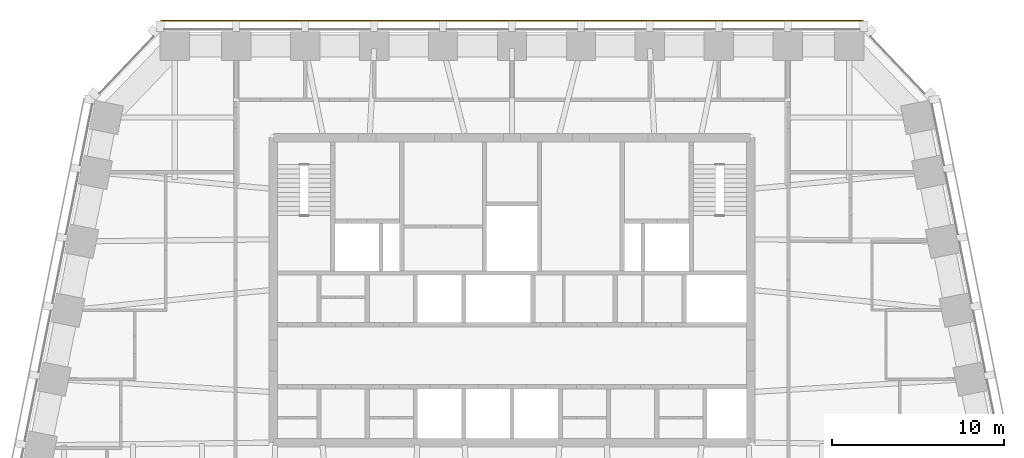
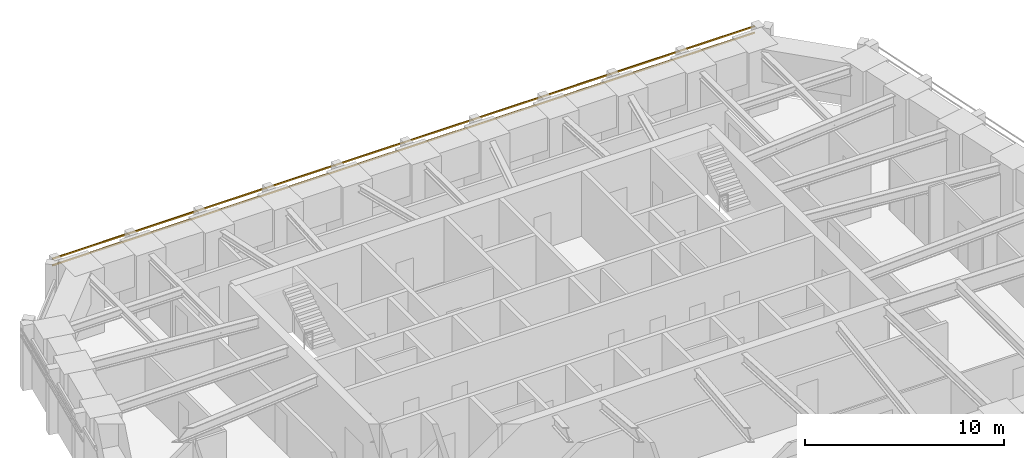
# One storey, part 11 of 11: 2 shading devices.
"""IFC4 building model written with IfcOpenShell, lengths in metres."""

import ifcopenshell
import ifcopenshell.guid

model = None  # the IFC model being written
_history = None  # IfcOwnerHistory: only IFC2X3 demands one
_inside = {}  # id of a spatial element -> (the spatial element, [elements in it])
_under = {}  # id of a project, library or spatial element -> (it, [spatial elements below it])
_declared = {}  # id of a project -> (the project, [libraries it declares])
_typed = {}  # id of a type object -> (the type object, [elements of that type])
_made_of = {}  # id of a material, layer set ... -> (it, [elements and type objects made of it])


def new_model(schema):
    """Start an empty IFC model of exactly this schema.

    Asked for "IFC4X3", IfcOpenShell would pick the latest addendum, in which some entities
    have other attributes; the version numbers below select the first issue.
    IFC2X3 requires an IfcOwnerHistory on every rooted entity: one is made here for all.
    """
    global model, _history
    if schema == "IFC4X3":
        model = ifcopenshell.file(schema_version=(4, 3, 0, 0))
    else:
        model = ifcopenshell.file(schema=schema)
    _inside.clear()
    _under.clear()
    _declared.clear()
    _typed.clear()
    _made_of.clear()
    _history = None
    if model.schema == "IFC2X3":
        org = make("IfcOrganization", Name="unknown")
        user = make(
            "IfcPersonAndOrganization",
            ThePerson=make("IfcPerson", FamilyName="unknown"),
            TheOrganization=org,
        )
        app = make(
            "IfcApplication",
            ApplicationDeveloper=org,
            Version="unknown",
            ApplicationFullName="unknown",
            ApplicationIdentifier="unknown",
        )
        _history = make(
            "IfcOwnerHistory",
            OwningUser=user,
            OwningApplication=app,
            ChangeAction="ADDED",
            CreationDate=0,
        )
    return model


def make(cls, **values):
    """One entity of the class cls with the attributes given. An attribute that is None is left unset."""
    return model.create_entity(
        cls, **{name: value for name, value in values.items() if value is not None}
    )


def rooted(cls, **values):
    """An entity with a GlobalId (a new one), such as an element, a storey or a relation."""
    return make(cls, GlobalId=ifcopenshell.guid.new(), OwnerHistory=_history, **values)


def si_unit(unit_type, name, prefix=None):
    """IfcSIUnit, for example si_unit("LENGTHUNIT", "METRE", prefix="MILLI")."""
    return make("IfcSIUnit", UnitType=unit_type, Prefix=prefix, Name=name)


def assignment(units):
    """IfcUnitAssignment: the units of a project."""
    return None if units is None else make("IfcUnitAssignment", Units=units)


def point(xyz):
    """IfcCartesianPoint."""
    return None if xyz is None else make("IfcCartesianPoint", Coordinates=xyz)


def direction(xyz):
    """IfcDirection."""
    return None if xyz is None else make("IfcDirection", DirectionRatios=xyz)


def frame(location, z_axis=None, x_axis=None):
    """IfcAxis2Placement3D, a coordinate frame: its origin and axes. An axis left out is left unset."""
    return make(
        "IfcAxis2Placement3D",
        Location=point(location),
        Axis=direction(z_axis),
        RefDirection=direction(x_axis),
    )


def frame_2d(location, x_axis=None):
    """IfcAxis2Placement2D, a coordinate frame in the plane: its origin and x axis."""
    return make(
        "IfcAxis2Placement2D", Location=point(location), RefDirection=direction(x_axis)
    )


def origin():
    """The frame at (0, 0, 0) with its axes left unset."""
    return frame((0.0, 0.0, 0.0))


def origin_2d():
    """The frame at (0, 0) in the plane with its x axis left unset."""
    return frame_2d((0.0, 0.0))


def place(relative_to, where):
    """IfcLocalPlacement: puts the frame where relative to a parent placement (None: the world)."""
    return make(
        "IfcLocalPlacement", PlacementRelTo=relative_to, RelativePlacement=where
    )


def context(
    kind, dimensions, precision=None, world=None, true_north=None, identifier=None
):
    """IfcGeometricRepresentationContext, for example the 3D "Model" context."""
    return make(
        "IfcGeometricRepresentationContext",
        ContextIdentifier=identifier,
        ContextType=kind,
        CoordinateSpaceDimension=dimensions,
        Precision=precision,
        WorldCoordinateSystem=world,
        TrueNorth=true_north,
    )


def subcontext(parent, identifier, kind, view, scale=None):
    """IfcGeometricRepresentationSubContext, for example "Body" below "Model"."""
    return make(
        "IfcGeometricRepresentationSubContext",
        ContextIdentifier=identifier,
        ContextType=kind,
        ParentContext=parent,
        TargetScale=scale,
        TargetView=view,
    )


def project(units=None, contexts=None):
    """IfcProject with its units and contexts."""
    return rooted(
        "IfcProject",
        Name="project",
        RepresentationContexts=contexts,
        UnitsInContext=assignment(units),
    )


def spatial(cls, under=None, at=None, **own):
    """A site, building, storey or space (cls), placed at a placement, below another one or the project."""
    s = rooted(cls, ObjectPlacement=at, **own)
    if under is not None:
        _under.setdefault(under.id(), (under, []))[1].append(s)
    return s


def profile(cls, at=None, kind="AREA", **sizes):
    """A parametric profile (cls). Its sizes go by their IFC names, for example OverallWidth=200.0."""
    return make(cls, ProfileType=kind, Position=at, **sizes)


def rectangle(**sizes):
    """IfcRectangleProfileDef."""
    return profile("IfcRectangleProfileDef", **sizes)


def extrude(swept, where, along, depth):
    """IfcExtrudedAreaSolid: the profile swept, set in the frame where, extruded along a direction by depth."""
    return make(
        "IfcExtrudedAreaSolid",
        SweptArea=swept,
        Position=where,
        ExtrudedDirection=direction(along),
        Depth=depth,
    )


def shape(context_of_items, identifier, shape_type, items):
    """IfcShapeRepresentation: the items that make up one representation, for example the "Body"."""
    return make(
        "IfcShapeRepresentation",
        ContextOfItems=context_of_items,
        RepresentationIdentifier=identifier,
        RepresentationType=shape_type,
        Items=items,
    )


def material(Name=None, Category=None):
    """IfcMaterial."""
    return make("IfcMaterial", Name=Name, Category=Category)


def material_profile(
    of_material, cross_section, Name=None, Category=None, Priority=None
):
    """IfcMaterialProfile: a cross section and its material."""
    return make(
        "IfcMaterialProfile",
        Name=Name,
        Material=of_material,
        Profile=cross_section,
        Priority=Priority,
        Category=Category,
    )


def profile_set(profiles, Name=None, composite=None):
    """IfcMaterialProfileSet."""
    return make(
        "IfcMaterialProfileSet",
        Name=Name,
        MaterialProfiles=profiles,
        CompositeProfile=composite,
    )


def made_of(thing, what):
    """Note that an element or type object is made of a material, layer set ...; save() writes the relation."""
    if what is not None:
        _made_of.setdefault(what.id(), (what, []))[1].append(thing)
    return thing


def type_object(cls, material=None, **own):
    """A type object (cls), such as IfcWallType, which elements share."""
    return made_of(rooted(cls, **own), material)


def element(
    cls,
    number,
    at=None,
    inside=None,
    cuts=None,
    type_object=None,
    material=None,
    context=None,
    identifier="Body",
    shape_type=None,
    held_by="IfcProductDefinitionShape",
    body=None,
    shapes=None,
    **own,
):
    """One element of the class cls, such as IfcWall. Its Tag is "e" and its number.

    at: its placement. inside: the storey or other place that contains it. cuts: it is an
    opening in that element (IfcRelVoidsElement). A single representation is given by context,
    identifier, shape_type and body (its items); several are given by shapes. held_by: the class
    of the entity that holds the representations. save() writes the other relations.
    """
    e = rooted(cls, Tag="e%d" % number, ObjectPlacement=at, **own)
    if body is not None:
        shapes = [shape(context, identifier, shape_type, body)]
    if shapes is not None:
        e.Representation = make(held_by, Representations=shapes)
    if inside is not None:
        _inside.setdefault(inside.id(), (inside, []))[1].append(e)
    if cuts is not None:
        rooted(
            "IfcRelVoidsElement", RelatingBuildingElement=cuts, RelatedOpeningElement=e
        )
    if type_object is not None:
        _typed.setdefault(type_object.id(), (type_object, []))[1].append(e)
    return made_of(e, material)


def aggregate(whole, parts):
    """IfcRelAggregates: a whole, such as a stair, and the parts it consists of."""
    return rooted("IfcRelAggregates", RelatingObject=whole, RelatedObjects=parts)


def save(model, path):
    """Write the relations noted so far, then the file.

    IfcRelAggregates (storeys below a building ...), IfcRelContainedInSpatialStructure (elements
    in a storey), IfcRelDefinesByType, IfcRelAssociatesMaterial and IfcRelDeclares: one each for
    every whole, place, type object, material and project.
    """
    for whole, parts in _under.values():
        aggregate(whole, parts)
    for where, things in _inside.values():
        rooted(
            "IfcRelContainedInSpatialStructure",
            RelatedElements=things,
            RelatingStructure=where,
        )
    for kind, things in _typed.values():
        rooted("IfcRelDefinesByType", RelatedObjects=things, RelatingType=kind)
    for what, things in _made_of.values():
        rooted("IfcRelAssociatesMaterial", RelatedObjects=things, RelatingMaterial=what)
    for by, libraries in _declared.values():
        rooted("IfcRelDeclares", RelatingContext=by, RelatedDefinitions=libraries)
    model.write(path)


model = new_model("IFC4")

# Units and contexts
model_context = context("Model", 3, precision=1e-05, world=origin(), true_north=direction((0.0, 1.0)))
body_context = subcontext(model_context, "Body", "Model", "MODEL_VIEW")
ifc_project = project(units=[si_unit("LENGTHUNIT", "METRE"), si_unit("AREAUNIT", "SQUARE_METRE"), si_unit("VOLUMEUNIT", "CUBIC_METRE"), si_unit("PLANEANGLEUNIT", "RADIAN"), si_unit("MASSUNIT", "GRAM", prefix="KILO")], contexts=[model_context])

# Site, building, storey
site_placement = place(None, origin())
site = spatial("IfcSite", under=ifc_project, at=site_placement, CompositionType="ELEMENT")
building_placement = place(site_placement, origin())
building = spatial("IfcBuilding", under=site, at=building_placement, Name="Isbrekke Arena Tower", CompositionType="ELEMENT")
storey_placement = place(building_placement, frame((0.0, 0.0, 288.0)))
storey = spatial("IfcBuildingStorey", under=building, at=storey_placement, Name="L67", CompositionType="ELEMENT", Elevation=288.0)

# Shading devices
ifc_material = material(Name="Terracotta", Category="masonry")
ifc_material_profile = material_profile(ifc_material, rectangle(XDim=0.06005859375, YDim=0.06005859375, at=origin_2d()), Name="BAGUETTE 60X60")
ifc_profile_set = profile_set([ifc_material_profile], Name="Terracotta")
shading_device_type = type_object("IfcShadingDeviceType", Name="BG1 TERRACOTTA BAGUETTE 60 x 60", PredefinedType="USERDEFINED", material=ifc_profile_set)
for number, where, z_axis, x_axis, name in (
    (1, (20.39990234375, 30.655029296875, 3.280029296875), (-1.0, 0.0, 0.0), (0.0, -1.0, 0.0), "BG1 terracotta baguette N1 L67"),
    (2, (20.39990234375, 30.655029296875, 3.679931640625), (-1.0, 0.0, 0.0), (0.0, -1.0, 0.0), "BG1 terracotta baguette N2 L67"),
):
    element("IfcShadingDevice", number, at=place(storey_placement, frame(where, z_axis=z_axis, x_axis=x_axis)), inside=storey, type_object=shading_device_type, Name=name, ObjectType="TERRACOTTA BAGUETTE", PredefinedType="USERDEFINED", context=body_context, shape_type="SweptSolid", body=[
        extrude(rectangle(XDim=0.06005859375, YDim=0.06005859375, at=origin_2d()), origin(), (0.0, 0.0, 1.0), 40.7998046875),
    ])

save(model, "model.ifc")
